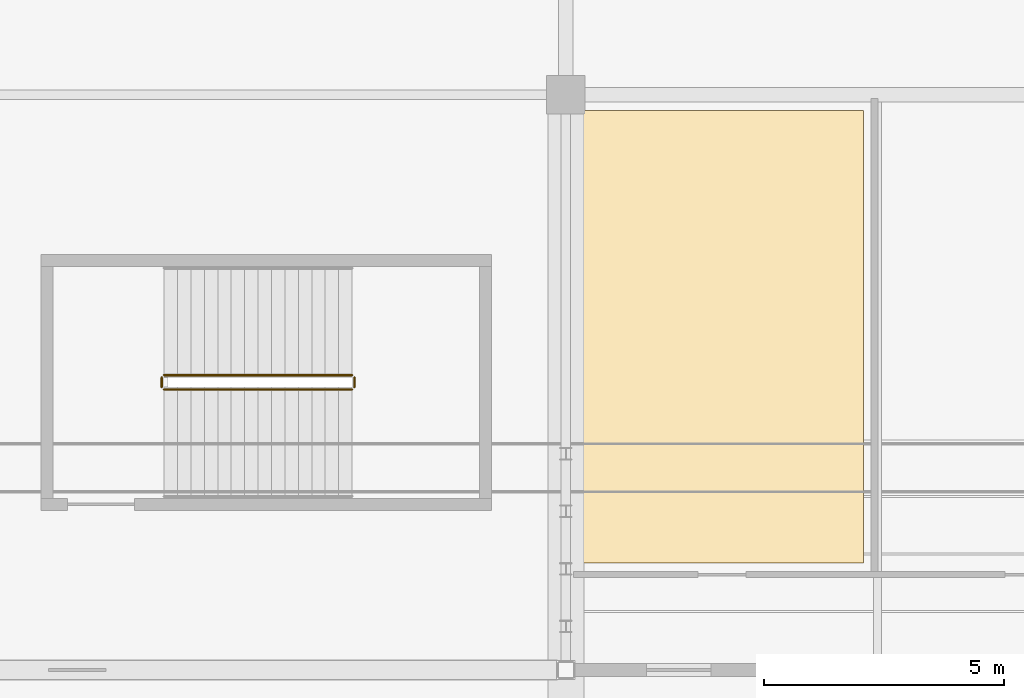
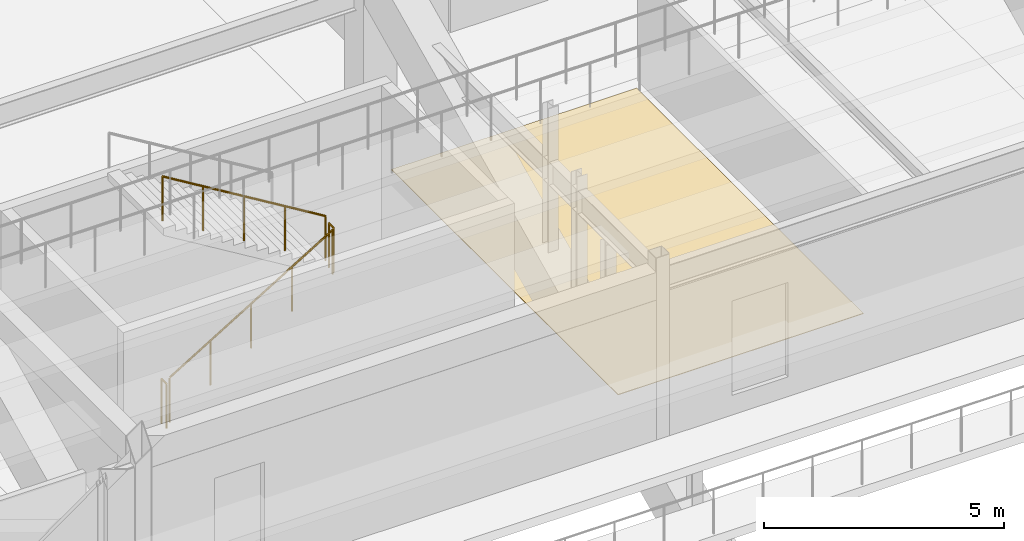
# One storey, part 115 of 128: 4 railings, 1 covering.
"""IFC4 building model written with IfcOpenShell, lengths in metres."""

from ifc_helpers import new_model, si_unit, direction, frame, origin, origin_2d, place, context, subcontext, project, spatial, polyline, circle, outline, extrude, material, layer, layer_set, type_object, element, save


model = new_model("IFC4")

# Units and contexts
model_context = context("Model", 3, precision=1e-05, world=origin(), true_north=direction((0.0, 1.0)))
body_context = subcontext(model_context, "Body", "Model", "MODEL_VIEW")
ifc_project = project(units=[si_unit("LENGTHUNIT", "METRE"), si_unit("AREAUNIT", "SQUARE_METRE"), si_unit("VOLUMEUNIT", "CUBIC_METRE"), si_unit("PLANEANGLEUNIT", "RADIAN"), si_unit("MASSUNIT", "GRAM", prefix="KILO")], contexts=[model_context])

# Site, building, storey
site_placement = place(None, origin())
site = spatial("IfcSite", under=ifc_project, at=site_placement, CompositionType="ELEMENT")
building_placement = place(site_placement, origin())
building = spatial("IfcBuilding", under=site, at=building_placement, Name="Kazenohara Klinker Stadium", CompositionType="ELEMENT")
storey_placement = place(building_placement, frame((0.0, 0.0, 15.300048828125)))
storey = spatial("IfcBuildingStorey", under=building, at=storey_placement, Name="L03", CompositionType="ELEMENT", Elevation=15.300048828125)

# Covering
ifc_material_1 = material(Name="Cushioned EPDM sports rubber flooring", Category="rubber")
ifc_layer_1 = layer(ifc_material_1, 0.014892578125)
ifc_layer_set_1 = layer_set([ifc_layer_1], Name="Cushioned EPDM sports rubber flooring")
covering_type = type_object("IfcCoveringType", Name="COV-FLR-02", PredefinedType="FLOORING", material=ifc_layer_set_1)
covering_placement = place(storey_placement, origin())
element("IfcCovering", 1, at=covering_placement, inside=storey, type_object=covering_type, Name="Interior floor finish FL02 Concourse Cold-Climate Hospitality Lounge L03-0811A", PredefinedType="FLOORING", context=body_context, shape_type="SweptSolid", body=[
    extrude(outline(polyline([(99.31005859375, 134.22998046875), (105.20654296875, 134.22998046875), (105.20654296875, 143.669921875), (99.31005859375, 143.669921875), (99.31005859375, 134.22998046875)])), origin(), (0.0, 0.0, 1.0), 0.014892578125),
])

# Railings
ifc_material_2 = material(Name="Painted steel stairwell guardrail", Category="steel")
ifc_layer_2 = layer(ifc_material_2, 0.06005859375)
ifc_layer_set_2 = layer_set([ifc_layer_2], Name="Painted steel stairwell guardrail")
railing_type = type_object("IfcRailingType", Name="RL-STG-1120", PredefinedType="GUARDRAIL", material=ifc_layer_set_2)
railing_1_placement = place(storey_placement, frame((90.6201171875, 137.85009765625, 0.169921875)))
element("IfcRailing", 2, at=railing_1_placement, inside=storey, type_object=railing_type, Name="L03 ST19 stair guard 1", PredefinedType="GUARDRAIL", context=body_context, shape_type="SweptSolid", body=[
    extrude(circle(Radius=0.02392578125, at=origin_2d()), frame((0.0, 0.0, 1.1259765625), z_axis=(0.854770645689, 0.0, 0.519005918337), x_axis=(0.0, 1.0, 0.0)), (0.0, 0.0, 1.0), 4.5859375),
    extrude(circle(Radius=0.02099609375, at=origin_2d()), origin(), (0.0, 0.0, 1.0), 1.101806640625),
    extrude(circle(Radius=0.02099609375, at=origin_2d()), frame((0.97998046875, 0.0, 0.594970703125)), (0.0, 0.0, 1.0), 1.101806640625),
    extrude(circle(Radius=0.02099609375, at=origin_2d()), frame((1.9599609375, 0.0, 1.18994140625)), (0.0, 0.0, 1.0), 1.101806640625),
    extrude(circle(Radius=0.02099609375, at=origin_2d()), frame((2.93994140625, 0.0, 1.78515625)), (0.0, 0.0, 1.0), 1.101806640625),
    extrude(circle(Radius=0.02099609375, at=origin_2d()), frame((3.919921875, 0.0, 2.380126953125)), (0.0, 0.0, 1.0), 1.101806640625),
])
railing_2_placement = place(storey_placement, frame((94.590087890625, 137.89990234375, 2.550048828125)))
element("IfcRailing", 3, at=railing_2_placement, inside=storey, type_object=railing_type, Name="L03 ST19 stair guard 2", PredefinedType="GUARDRAIL", context=body_context, shape_type="SweptSolid", body=[
    extrude(circle(Radius=0.02392578125, at=origin_2d()), frame((0.0, 0.0, 1.1259765625), z_axis=(0.0, 1.0, 0.0), x_axis=(-1.0, 0.0, 0.0)), (0.0, 0.0, 1.0), 0.2001953125),
    extrude(circle(Radius=0.02099609375, at=origin_2d()), origin(), (0.0, 0.0, 1.0), 1.101806640625),
    extrude(circle(Radius=0.02099609375, at=origin_2d()), frame((0.0, 0.2001953125, 0.0)), (0.0, 0.0, 1.0), 1.101806640625),
])
railing_3_placement = place(storey_placement, frame((94.5400390625, 138.14990234375, 2.719970703125)))
element("IfcRailing", 4, at=railing_3_placement, inside=storey, type_object=railing_type, Name="L03 ST19 stair guard 3", PredefinedType="GUARDRAIL", context=body_context, shape_type="SweptSolid", body=[
    extrude(circle(Radius=0.02392578125, at=origin_2d()), frame((0.0, 0.0, 1.1259765625), z_axis=(-0.854794262968, 0.0, 0.518967020143), x_axis=(0.0, -1.0, 0.0)), (0.0, 0.0, 1.0), 4.585693359375),
    extrude(circle(Radius=0.02099609375, at=origin_2d()), origin(), (0.0, 0.0, 1.0), 1.101806640625),
    extrude(circle(Radius=0.02099609375, at=origin_2d()), frame((-0.97998046875, 0.0, 0.594970703125)), (0.0, 0.0, 1.0), 1.101806640625),
    extrude(circle(Radius=0.02099609375, at=origin_2d()), frame((-1.9599609375, 0.0, 1.18994140625)), (0.0, 0.0, 1.0), 1.101806640625),
    extrude(circle(Radius=0.02099609375, at=origin_2d()), frame((-2.93994140625, 0.0, 1.784912109375)), (0.0, 0.0, 1.0), 1.101806640625),
    extrude(circle(Radius=0.02099609375, at=origin_2d()), frame((-3.919921875, 0.0, 2.3798828125)), (0.0, 0.0, 1.0), 1.101806640625),
])
railing_4_placement = place(storey_placement, frame((90.570068359375, 137.89990234375, 0.0)))
element("IfcRailing", 5, at=railing_4_placement, inside=storey, type_object=railing_type, Name="L03 ST19 stair guard 4", PredefinedType="GUARDRAIL", context=body_context, shape_type="SweptSolid", body=[
    extrude(circle(Radius=0.02392578125, at=origin_2d()), frame((0.0, 0.0, 1.1259765625), z_axis=(0.0, 1.0, 0.0), x_axis=(-1.0, 0.0, 0.0)), (0.0, 0.0, 1.0), 0.2001953125),
    extrude(circle(Radius=0.02099609375, at=origin_2d()), origin(), (0.0, 0.0, 1.0), 1.101806640625),
    extrude(circle(Radius=0.02099609375, at=origin_2d()), frame((0.0, 0.2001953125, 0.0)), (0.0, 0.0, 1.0), 1.101806640625),
])

save(model, "model.ifc")
